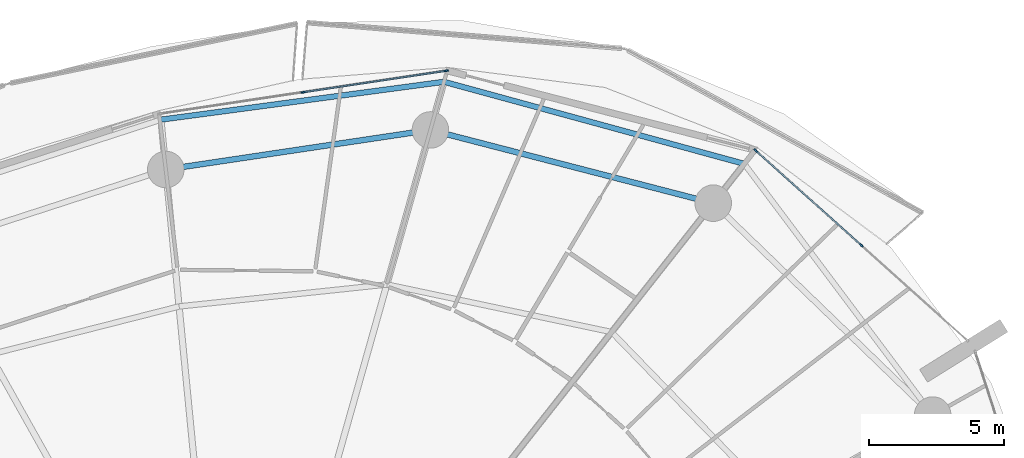
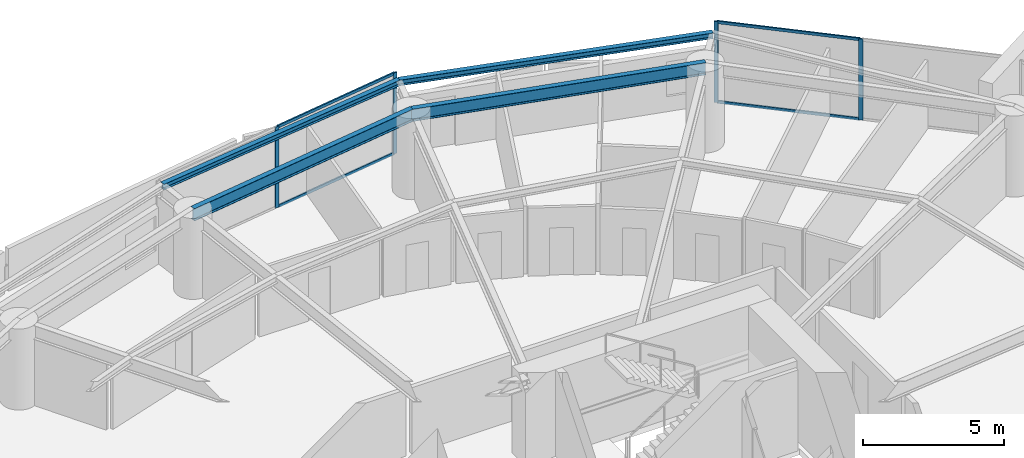
# One storey, part 16 of 30: 8 members, 4 beams, 2 elements without a shape of their own.
"""IFC4 building model written with IfcOpenShell, lengths in metres."""

from ifc_helpers import new_model, si_unit, direction, frame, origin, origin_2d, place, context, subcontext, project, spatial, rectangle, i_section, extrude, material, layer, layer_set, material_profile, profile_set, type_object, element, aggregate, save


model = new_model("IFC4")

# Units and contexts
model_context = context("Model", 3, precision=1e-05, world=origin(), true_north=direction((0.0, 1.0)))
body_context = subcontext(model_context, "Body", "Model", "MODEL_VIEW")
ifc_project = project(units=[si_unit("LENGTHUNIT", "METRE"), si_unit("AREAUNIT", "SQUARE_METRE"), si_unit("VOLUMEUNIT", "CUBIC_METRE"), si_unit("PLANEANGLEUNIT", "RADIAN"), si_unit("MASSUNIT", "GRAM", prefix="KILO")], contexts=[model_context])

# Site, building, storey
site_placement = place(None, origin())
site = spatial("IfcSite", under=ifc_project, at=site_placement, CompositionType="ELEMENT")
building_placement = place(site_placement, origin())
building = spatial("IfcBuilding", under=site, at=building_placement, Name="Kazma Halo Residences", CompositionType="ELEMENT")
storey_placement = place(building_placement, frame((0.0, 0.0, 56.39990234375)))
storey = spatial("IfcBuildingStorey", under=building, at=storey_placement, Name="L13", CompositionType="ELEMENT", Elevation=56.39990234375)

# Beams
ifc_material_1 = material(Name="Steel S355", Category="steel")
ifc_material_profile_1 = material_profile(ifc_material_1, i_section(OverallWidth=0.201904296875, OverallDepth=0.2470703125, WebThickness=0.00732421875, FlangeThickness=0.010986328125, FilletRadius=0.011962890625, at=origin_2d()), Name="W250x49.1")
ifc_profile_set_1 = profile_set([ifc_material_profile_1], Name="Steel S355")
beam_type_1 = type_object("IfcBeamType", Name="BM-BAL-CANT", PredefinedType="BEAM", material=ifc_profile_set_1)
beam_1_placement = place(storey_placement, frame((66.603515625, 65.598388671875, 3.376708984375), z_axis=(-0.964628474934, 0.263613173697, 0.0), x_axis=(-0.263613173697, -0.964628474934, 0.0)))
element("IfcBeam", 1, at=beam_1_placement, inside=storey, type_object=beam_type_1, Name="L13 wave-balcony tie beam 02", PredefinedType="BEAM", context=body_context, shape_type="SweptSolid", body=[
    extrude(i_section(OverallWidth=0.201904296875, OverallDepth=0.2470703125, WebThickness=0.00732421875, FlangeThickness=0.010986328125, FilletRadius=0.011962890625, at=origin_2d()), origin(), (0.0, 0.0, 1.0), 11.499755859375),
])
beam_2_placement = place(storey_placement, frame((55.510498046875, 68.6298828125, 3.376708984375), z_axis=(-0.991168183526, -0.13261082899, 0.0), x_axis=(0.13261082899, -0.991168183526, 0.0)))
element("IfcBeam", 2, at=beam_2_placement, inside=storey, type_object=beam_type_1, Name="L13 wave-balcony tie beam 03", PredefinedType="BEAM", context=body_context, shape_type="SweptSolid", body=[
    extrude(i_section(OverallWidth=0.201904296875, OverallDepth=0.2470703125, WebThickness=0.00732421875, FlangeThickness=0.010986328125, FilletRadius=0.011962890625, at=origin_2d()), origin(), (0.0, 0.0, 1.0), 10.551025390625),
])
ifc_material_profile_2 = material_profile(ifc_material_1, i_section(OverallWidth=0.208984375, OverallDepth=0.532958984375, WebThickness=0.01025390625, FlangeThickness=0.015625, FilletRadius=0.01611328125, at=origin_2d()), Name="W530x92")
ifc_profile_set_2 = profile_set([ifc_material_profile_2], Name="Steel S355")
beam_type_2 = type_object("IfcBeamType", Name="BM-SPN-W530", PredefinedType="BEAM", material=ifc_profile_set_2)
beam_3_placement = place(storey_placement, frame((65.458251953125, 64.145751953125, 3.233642578125), z_axis=(-0.968123558238, 0.250473104313, 0.0), x_axis=(-0.250473104313, -0.968123558238, 0.0)))
element("IfcBeam", 3, at=beam_3_placement, inside=storey, type_object=beam_type_2, Name="L13 perimeter ring beam 02", PredefinedType="BEAM", context=body_context, shape_type="SweptSolid", body=[
    extrude(i_section(OverallWidth=0.208984375, OverallDepth=0.532958984375, WebThickness=0.01025390625, FlangeThickness=0.015625, FilletRadius=0.01611328125, at=origin_2d()), origin(), (0.0, 0.0, 1.0), 10.7939453125),
])
beam_4_placement = place(storey_placement, frame((55.00830078125, 66.849365234375, 3.233642578125), z_axis=(-0.989033061974, -0.147694286693, 0.0), x_axis=(0.147694286693, -0.989033061974, 0.0)))
element("IfcBeam", 4, at=beam_4_placement, inside=storey, type_object=beam_type_2, Name="L13 perimeter ring beam 03", PredefinedType="BEAM", context=body_context, shape_type="SweptSolid", body=[
    extrude(i_section(OverallWidth=0.208984375, OverallDepth=0.532958984375, WebThickness=0.01025390625, FlangeThickness=0.015625, FilletRadius=0.01611328125, at=origin_2d()), origin(), (0.0, 0.0, 1.0), 9.885009765625),
])

# Curtain wall, members
ifc_material_2 = material(Name="Aluminium AW-6063 T6 and Triple-Silver Low-E Glass", Category="aluminium")
ifc_layer = layer(ifc_material_2, 0.159912109375)
ifc_layer_set = layer_set([ifc_layer], Name="Aluminium AW-6063 T6 and Triple-Silver Low-E Glass")
curtain_wall_type = type_object("IfcCurtainWallType", Name="CW-SYS-2", PredefinedType="NOTDEFINED", material=ifc_layer_set)
curtain_wall_1_placement = place(storey_placement, origin())
curtain_wall_1 = element("IfcCurtainWall", 5, at=curtain_wall_1_placement, inside=storey, type_object=curtain_wall_type, Name="L13 unitised curtain wall B01", PredefinedType="NOTDEFINED")
ifc_material_3 = material(Name="Aluminium AW-6063 T6", Category="aluminium")
ifc_material_profile_3 = material_profile(ifc_material_3, rectangle(XDim=0.06005859375, YDim=0.159912109375, at=origin_2d()), Name="CWM-60x160")
ifc_profile_set_3 = profile_set([ifc_material_profile_3], Name="Aluminium AW-6063 T6")
member_type_1 = type_object("IfcMemberType", Name="CW-SYS-2-MUL", PredefinedType="MULLION", material=ifc_profile_set_3)
member_1_placement = place(storey_placement, frame((70.92724609375, 62.590087890625, 0.0), z_axis=(0.0, 0.0, 1.0), x_axis=(-0.667821453854, -0.744321506993, 0.0)))
member_1 = element("IfcMember", 6, at=member_1_placement, type_object=member_type_1, Name="CWS-2 mullion 2", PredefinedType="MULLION", context=body_context, shape_type="SweptSolid", body=[
    extrude(rectangle(XDim=0.06005859375, YDim=0.159912109375, at=origin_2d()), origin(), (0.0, 0.0, 1.0), 3.5),
])
member_2_placement = place(storey_placement, frame((67.028076171875, 66.088623046875, 0.0), z_axis=(0.0, 0.0, 1.0), x_axis=(-0.667821453854, -0.744321506993, 0.0)))
member_2 = element("IfcMember", 7, at=member_2_placement, type_object=member_type_1, Name="CWS-2 mullion 3", PredefinedType="MULLION", context=body_context, shape_type="SweptSolid", body=[
    extrude(rectangle(XDim=0.06005859375, YDim=0.159912109375, at=origin_2d()), origin(), (0.0, 0.0, 1.0), 3.5),
])

curtain_wall_2_placement = place(storey_placement, origin())
curtain_wall_2 = element("IfcCurtainWall", 8, at=curtain_wall_2_placement, inside=storey, type_object=curtain_wall_type, Name="L13 unitised curtain wall B03", PredefinedType="NOTDEFINED")
member_3_placement = place(storey_placement, frame((55.596923828125, 69.037841796875, 0.0), z_axis=(0.0, 0.0, 1.0), x_axis=(0.148657272805, -0.988888777994, 0.0)))
member_3 = element("IfcMember", 9, at=member_3_placement, type_object=member_type_1, Name="CWS-2 mullion 1", PredefinedType="MULLION", context=body_context, shape_type="SweptSolid", body=[
    extrude(rectangle(XDim=0.06005859375, YDim=0.159912109375, at=origin_2d()), origin(), (0.0, 0.0, 1.0), 3.5),
])
member_4_placement = place(storey_placement, frame((50.3076171875, 68.24267578125, 0.0), z_axis=(0.0, 0.0, 1.0), x_axis=(0.148657272805, -0.988888777994, 0.0)))
member_4 = element("IfcMember", 10, at=member_4_placement, type_object=member_type_1, Name="CWS-2 mullion 2", PredefinedType="MULLION", context=body_context, shape_type="SweptSolid", body=[
    extrude(rectangle(XDim=0.06005859375, YDim=0.159912109375, at=origin_2d()), origin(), (0.0, 0.0, 1.0), 3.5),
])

# Member
ifc_material_profile_4 = material_profile(ifc_material_3, rectangle(XDim=0.06005859375, YDim=0.1201171875, at=origin_2d()), Name="CWT-60x120")
ifc_profile_set_4 = profile_set([ifc_material_profile_4], Name="Aluminium AW-6063 T6")
member_type_2 = type_object("IfcMemberType", Name="CW-SYS-2-TRN", PredefinedType="USERDEFINED", material=ifc_profile_set_4)
member_5_placement = place(storey_placement, frame((70.905029296875, 62.6103515625, 0.030029296875), z_axis=(-0.744329408538, 0.66781264707, 0.0), x_axis=(-0.66781264707, -0.744329408538, 0.0)))
member_5 = element("IfcMember", 11, at=member_5_placement, type_object=member_type_2, Name="CWS-2 transom 2.1", ObjectType="TRANSOM", PredefinedType="USERDEFINED", context=body_context, shape_type="SweptSolid", body=[
    extrude(rectangle(XDim=0.06005859375, YDim=0.1201171875, at=origin_2d()), origin(), (0.0, 0.0, 1.0), 5.178466796875),
])

member_6_placement = place(storey_placement, frame((70.905029296875, 62.6103515625, 3.47021484375), z_axis=(-0.744329408538, 0.66781264707, 0.0), x_axis=(-0.66781264707, -0.744329408538, 0.0)))
member_6 = element("IfcMember", 12, at=member_6_placement, type_object=member_type_2, Name="CWS-2 transom 2.2", ObjectType="TRANSOM", PredefinedType="USERDEFINED", context=body_context, shape_type="SweptSolid", body=[
    extrude(rectangle(XDim=0.06005859375, YDim=0.1201171875, at=origin_2d()), origin(), (0.0, 0.0, 1.0), 5.178466796875),
])

aggregate(curtain_wall_1, [member_1, member_2, member_5, member_6])

member_7_placement = place(storey_placement, frame((55.5673828125, 69.033203125, 0.030029296875), z_axis=(-0.988890934274, -0.148642928222, 0.0), x_axis=(0.148642928222, -0.988890934274, 0.0)))
member_7 = element("IfcMember", 13, at=member_7_placement, type_object=member_type_2, Name="CWS-2 transom 1.1", ObjectType="TRANSOM", PredefinedType="USERDEFINED", context=body_context, shape_type="SweptSolid", body=[
    extrude(rectangle(XDim=0.06005859375, YDim=0.1201171875, at=origin_2d()), origin(), (0.0, 0.0, 1.0), 5.288818359375),
])

member_8_placement = place(storey_placement, frame((55.5673828125, 69.033203125, 3.47021484375), z_axis=(-0.988890934274, -0.148642928222, 0.0), x_axis=(0.148642928222, -0.988890934274, 0.0)))
member_8 = element("IfcMember", 14, at=member_8_placement, type_object=member_type_2, Name="CWS-2 transom 1.2", ObjectType="TRANSOM", PredefinedType="USERDEFINED", context=body_context, shape_type="SweptSolid", body=[
    extrude(rectangle(XDim=0.06005859375, YDim=0.1201171875, at=origin_2d()), origin(), (0.0, 0.0, 1.0), 5.288818359375),
])

aggregate(curtain_wall_2, [member_3, member_4, member_7, member_8])

save(model, "model.ifc")
